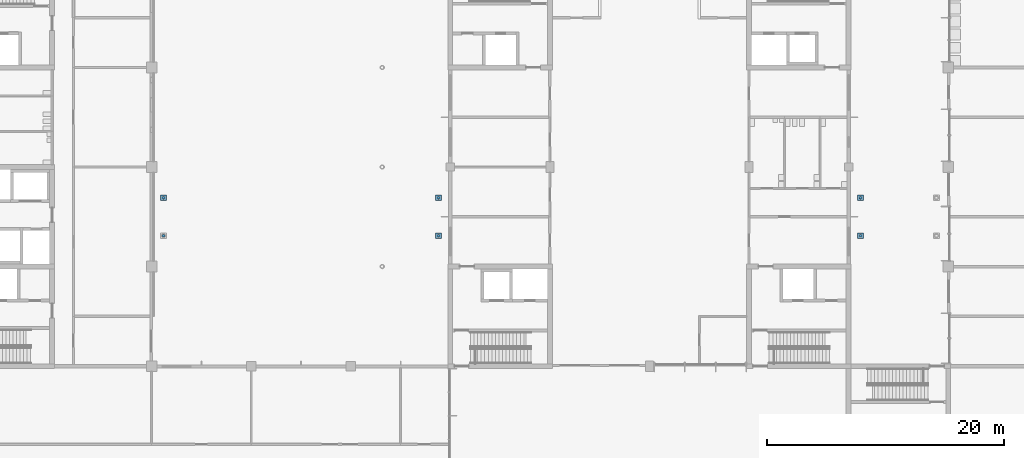
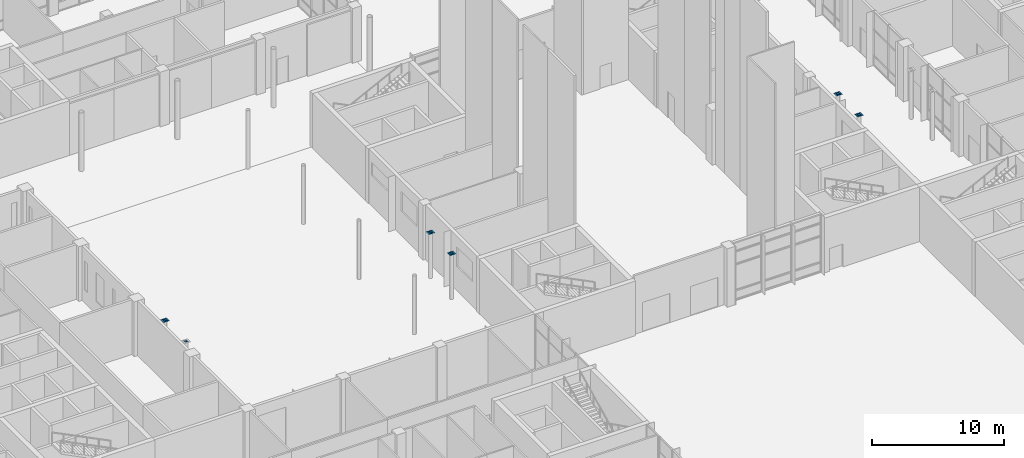
# One storey, part 54 of 76: 11 discrete accessories.
"""IFC4 building model written with IfcOpenShell, lengths in metres."""

from ifc_helpers import new_model, si_unit, direction, frame, origin, origin_2d, place, context, subcontext, project, spatial, rectangle, extrude, material, layer, layer_set, type_object, element, save


model = new_model("IFC4")

# Units and contexts
model_context = context("Model", 3, precision=1e-05, world=origin(), true_north=direction((0.0, 1.0)))
body_context = subcontext(model_context, "Body", "Model", "MODEL_VIEW")
ifc_project = project(units=[si_unit("LENGTHUNIT", "METRE"), si_unit("AREAUNIT", "SQUARE_METRE"), si_unit("VOLUMEUNIT", "CUBIC_METRE"), si_unit("PLANEANGLEUNIT", "RADIAN"), si_unit("MASSUNIT", "GRAM", prefix="KILO")], contexts=[model_context])

# Site, building, storey
site_placement = place(None, origin())
site = spatial("IfcSite", under=ifc_project, at=site_placement, CompositionType="ELEMENT")
building_placement = place(site_placement, origin())
building = spatial("IfcBuilding", under=site, at=building_placement, Name="Hlaing Beacon Police Headquarters", CompositionType="ELEMENT")
storey_placement = place(building_placement, origin())
storey = spatial("IfcBuildingStorey", under=building, at=storey_placement, Name="L00", CompositionType="ELEMENT", Elevation=0.0)

# Discrete accessories
ifc_material_1 = material(Name="Steel ASTM A572 Grade 50", Category="steel")
ifc_layer_1 = layer(ifc_material_1, 0.008056640625)
ifc_layer_set_1 = layer_set([ifc_layer_1], Name="Steel ASTM A572 Grade 50")
discrete_accessory_type_1 = type_object("IfcDiscreteAccessoryType", Name="Bridge fixed bearing 250x200x8", PredefinedType="SHOE", material=ifc_layer_set_1)
for number, where, z_axis, x_axis, name in (
    (1, (34.60009765625, 44.60009765625, 4.17236328125), (0.0, 0.0, 1.0), (1.0, 0.0, 0.0), "Bridge fixed bearing BR1 pier 1"),
    (2, (34.60009765625, 47.800048828125, 4.17236328125), (0.0, 0.0, 1.0), (1.0, 0.0, 0.0), "Bridge fixed bearing BR1 pier 2"),
    (3, (93.39990234375, 44.60009765625, 4.5048828125), (0.0, 0.0, 1.0), (1.0, 0.0, 0.0), "Bridge fixed bearing BR2 pier 1"),
    (4, (93.39990234375, 47.800048828125, 4.5048828125), (0.0, 0.0, 1.0), (1.0, 0.0, 0.0), "Bridge fixed bearing BR2 pier 2"),
):
    element("IfcDiscreteAccessory", number, at=place(storey_placement, frame(where, z_axis=z_axis, x_axis=x_axis)), inside=storey, type_object=discrete_accessory_type_1, Name=name, PredefinedType="SHOE", context=body_context, shape_type="SweptSolid", body=[
        extrude(rectangle(XDim=0.25, YDim=0.199951171875, at=origin_2d()), origin(), (0.0, 0.0, 1.0), 0.008056640625),
    ])
ifc_material_2 = material(Name="Steel ASTM A572 Grade 50", Category="steel")
ifc_layer_2 = layer(ifc_material_2, 0.010009765625)
ifc_layer_set_2 = layer_set([ifc_layer_2], Name="Steel ASTM A572 Grade 50")
discrete_accessory_type_2 = type_object("IfcDiscreteAccessoryType", Name="Bridge seat plate 500x450x10", PredefinedType="BRACKET", material=ifc_layer_set_2)
for number, where, z_axis, x_axis, name in (
    (5, (34.60009765625, 47.800048828125, 4.162109375), (0.0, 0.0, 1.0), (1.0, 0.0, 0.0), "Bridge seat plate BR1 pier 2"),
    (6, (57.800048828125, 44.60009765625, 4.162109375), (0.0, 0.0, 1.0), (1.0, 0.0, 0.0), "Bridge seat plate BR1 pier 3"),
    (7, (57.800048828125, 47.800048828125, 4.162109375), (0.0, 0.0, 1.0), (1.0, 0.0, 0.0), "Bridge seat plate BR1 pier 4"),
    (8, (93.39990234375, 44.60009765625, 4.4951171875), (0.0, 0.0, 1.0), (1.0, 0.0, 0.0), "Bridge seat plate BR2 pier 1"),
    (9, (93.39990234375, 47.800048828125, 4.4951171875), (0.0, 0.0, 1.0), (1.0, 0.0, 0.0), "Bridge seat plate BR2 pier 2"),
):
    element("IfcDiscreteAccessory", number, at=place(storey_placement, frame(where, z_axis=z_axis, x_axis=x_axis)), inside=storey, type_object=discrete_accessory_type_2, Name=name, PredefinedType="BRACKET", context=body_context, shape_type="SweptSolid", body=[
        extrude(rectangle(XDim=0.5, YDim=0.449951171875, at=origin_2d()), origin(), (0.0, 0.0, 1.0), 0.010009765625),
    ])
ifc_material_3 = material(Name="Stainless steel", Category="steel")
ifc_layer_3 = layer(ifc_material_3, 0.008056640625)
ifc_layer_set_3 = layer_set([ifc_layer_3], Name="Stainless steel")
discrete_accessory_type_3 = type_object("IfcDiscreteAccessoryType", Name="Bridge sliding bearing 250x200x8", PredefinedType="SHOE", material=ifc_layer_set_3)
for number, where, z_axis, x_axis, name in (
    (10, (57.800048828125, 44.60009765625, 4.17236328125), (0.0, 0.0, 1.0), (1.0, 0.0, 0.0), "Bridge sliding bearing BR1 pier 3"),
    (11, (57.800048828125, 47.800048828125, 4.17236328125), (0.0, 0.0, 1.0), (1.0, 0.0, 0.0), "Bridge sliding bearing BR1 pier 4"),
):
    element("IfcDiscreteAccessory", number, at=place(storey_placement, frame(where, z_axis=z_axis, x_axis=x_axis)), inside=storey, type_object=discrete_accessory_type_3, Name=name, PredefinedType="SHOE", context=body_context, shape_type="SweptSolid", body=[
        extrude(rectangle(XDim=0.25, YDim=0.199951171875, at=origin_2d()), origin(), (0.0, 0.0, 1.0), 0.008056640625),
    ])

save(model, "model.ifc")
